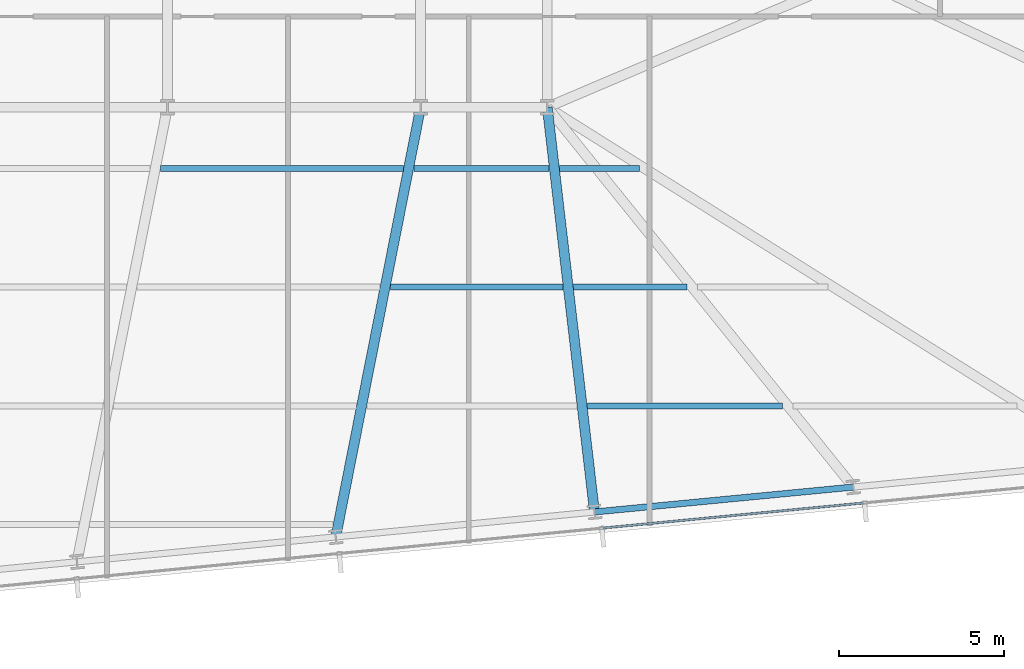
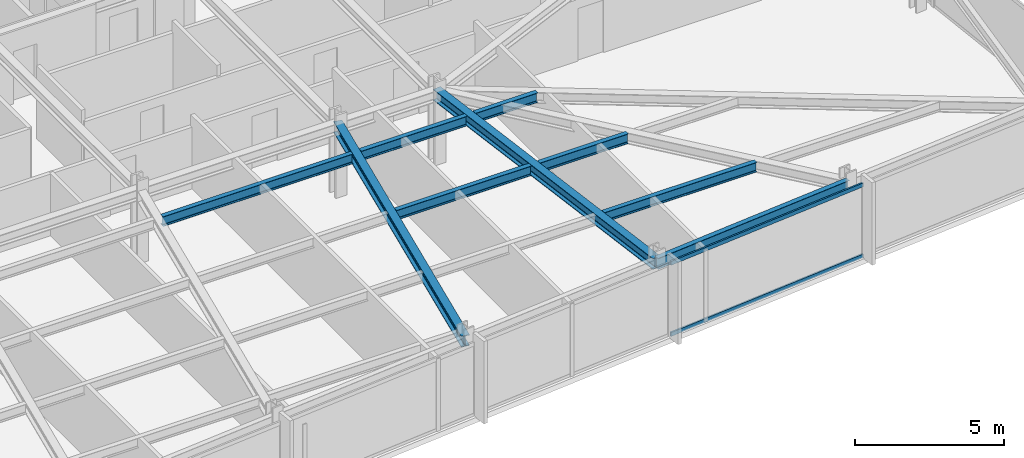
# One storey, part 11 of 32: 9 beams, 2 members, 1 element without a shape of its own.
"""IFC4 building model written with IfcOpenShell, lengths in metres."""

from ifc_helpers import new_model, si_unit, direction, frame, origin, origin_2d, place, context, subcontext, project, spatial, hollow_rectangle, i_section, extrude, material, material_profile, profile_set, type_object, element, aggregate, save


model = new_model("IFC4")

# Units and contexts
model_context = context("Model", 3, precision=1e-05, world=origin(), true_north=direction((0.0, 1.0)))
body_context = subcontext(model_context, "Body", "Model", "MODEL_VIEW")
ifc_project = project(units=[si_unit("LENGTHUNIT", "METRE"), si_unit("AREAUNIT", "SQUARE_METRE"), si_unit("VOLUMEUNIT", "CUBIC_METRE"), si_unit("PLANEANGLEUNIT", "RADIAN"), si_unit("MASSUNIT", "GRAM", prefix="KILO")], contexts=[model_context])

# Site, building, storey
site_placement = place(None, origin())
site = spatial("IfcSite", under=ifc_project, at=site_placement, CompositionType="ELEMENT")
building_placement = place(site_placement, origin())
building = spatial("IfcBuilding", under=site, at=building_placement, Name="Yelkora Congress Tower", CompositionType="ELEMENT")
storey_placement = place(building_placement, frame((0.0, 0.0, 133.89990234375)))
storey = spatial("IfcBuildingStorey", under=building, at=storey_placement, Name="L36", CompositionType="ELEMENT", Elevation=133.89990234375)

# Beams
ifc_material_1 = material(Name="Steel S355J2", Category="steel")
ifc_material_profile_1 = material_profile(ifc_material_1, i_section(OverallWidth=0.300048828125, OverallDepth=0.449951171875, WebThickness=0.013916015625, FlangeThickness=0.02587890625, FilletRadius=0.027099609375, at=origin_2d()), Name="HEB 450")
ifc_profile_set_1 = profile_set([ifc_material_profile_1], Name="Steel S355J2")
beam_type_1 = type_object("IfcBeamType", Name="BM-GIRD-HEB450", PredefinedType="BEAM", material=ifc_profile_set_1)
beam_1_placement = place(storey_placement, frame((51.18359375, 12.16748046875, 2.755126953125), z_axis=(0.193938615251, 0.981013666324, 0.0), x_axis=(-0.981013666324, 0.193938615251, 0.0)))
element("IfcBeam", 1, at=beam_1_placement, inside=storey, type_object=beam_type_1, Name="L36 Primary Frame Girder S05", PredefinedType="BEAM", context=body_context, shape_type="SweptSolid", body=[
    extrude(i_section(OverallWidth=0.300048828125, OverallDepth=0.449951171875, WebThickness=0.013916015625, FlangeThickness=0.02587890625, FilletRadius=0.027099609375, at=origin_2d()), origin(), (0.0, 0.0, 1.0), 13.28466796875),
])
beam_2_placement = place(storey_placement, frame((59.033203125, 12.92333984375, 2.755126953125), z_axis=(-0.115947280821, 0.993255369011, 0.0), x_axis=(-0.993255369011, -0.115947280821, 0.0)))
element("IfcBeam", 2, at=beam_2_placement, inside=storey, type_object=beam_type_1, Name="L36 Primary Frame Girder S06", PredefinedType="BEAM", context=body_context, shape_type="SweptSolid", body=[
    extrude(i_section(OverallWidth=0.300048828125, OverallDepth=0.449951171875, WebThickness=0.013916015625, FlangeThickness=0.02587890625, FilletRadius=0.027099609375, at=origin_2d()), origin(), (0.0, 0.0, 1.0), 12.35986328125),
])
ifc_material_profile_2 = material_profile(ifc_material_1, i_section(OverallWidth=0.179931640625, OverallDepth=0.39990234375, WebThickness=0.008544921875, FlangeThickness=0.013427734375, FilletRadius=0.02099609375, at=origin_2d()), Name="IPE 400")
ifc_profile_set_2 = profile_set([ifc_material_profile_2], Name="Steel S355J2")
beam_type_2 = type_object("IfcBeamType", Name="BM-JOIST-IPE400", PredefinedType="JOIST", material=ifc_profile_set_2)
beam_3_placement = place(storey_placement, frame((58.817138671875, 16.144287109375, 2.780029296875), z_axis=(1.0, 0.0, 0.0), x_axis=(0.0, 1.0, 0.0)))
element("IfcBeam", 3, at=beam_3_placement, inside=storey, type_object=beam_type_2, Name="L36 Composite Floor Joist 9", PredefinedType="JOIST", context=body_context, shape_type="SweptSolid", body=[
    extrude(i_section(OverallWidth=0.179931640625, OverallDepth=0.39990234375, WebThickness=0.008544921875, FlangeThickness=0.013427734375, FilletRadius=0.02099609375, at=origin_2d()), origin(), (0.0, 0.0, 1.0), 5.919189453125),
])
beam_4_placement = place(storey_placement, frame((52.841552734375, 19.744384765625, 2.780029296875), z_axis=(1.0, 0.0, 0.0), x_axis=(0.0, 1.0, 0.0)))
element("IfcBeam", 4, at=beam_4_placement, inside=storey, type_object=beam_type_2, Name="L36 Composite Floor Joist 15", PredefinedType="JOIST", context=body_context, shape_type="SweptSolid", body=[
    extrude(i_section(OverallWidth=0.179931640625, OverallDepth=0.39990234375, WebThickness=0.008544921875, FlangeThickness=0.013427734375, FilletRadius=0.02099609375, at=origin_2d()), origin(), (0.0, 0.0, 1.0), 5.2353515625),
])
beam_5_placement = place(storey_placement, frame((58.39697265625, 19.744384765625, 2.780029296875), z_axis=(1.0, 0.0, 0.0), x_axis=(0.0, 1.0, 0.0)))
element("IfcBeam", 5, at=beam_5_placement, inside=storey, type_object=beam_type_2, Name="L36 Composite Floor Joist 16", PredefinedType="JOIST", context=body_context, shape_type="SweptSolid", body=[
    extrude(i_section(OverallWidth=0.179931640625, OverallDepth=0.39990234375, WebThickness=0.008544921875, FlangeThickness=0.013427734375, FilletRadius=0.02099609375, at=origin_2d()), origin(), (0.0, 0.0, 1.0), 3.438720703125),
])
beam_6_placement = place(storey_placement, frame((45.87060546875, 23.344482421875, 2.780029296875), z_axis=(1.0, 0.0, 0.0), x_axis=(0.0, 1.0, 0.0)))
element("IfcBeam", 6, at=beam_6_placement, inside=storey, type_object=beam_type_2, Name="L36 Composite Floor Joist 21", PredefinedType="JOIST", context=body_context, shape_type="SweptSolid", body=[
    extrude(i_section(OverallWidth=0.179931640625, OverallDepth=0.39990234375, WebThickness=0.008544921875, FlangeThickness=0.013427734375, FilletRadius=0.02099609375, at=origin_2d()), origin(), (0.0, 0.0, 1.0), 7.362548828125),
])
beam_7_placement = place(storey_placement, frame((53.55322265625, 23.344482421875, 2.780029296875), z_axis=(1.0, 0.0, 0.0), x_axis=(0.0, 1.0, 0.0)))
element("IfcBeam", 7, at=beam_7_placement, inside=storey, type_object=beam_type_2, Name="L36 Composite Floor Joist 22", PredefinedType="JOIST", context=body_context, shape_type="SweptSolid", body=[
    extrude(i_section(OverallWidth=0.179931640625, OverallDepth=0.39990234375, WebThickness=0.008544921875, FlangeThickness=0.013427734375, FilletRadius=0.02099609375, at=origin_2d()), origin(), (0.0, 0.0, 1.0), 4.103271484375),
])
beam_8_placement = place(storey_placement, frame((57.9765625, 23.344482421875, 2.780029296875), z_axis=(1.0, 0.0, 0.0), x_axis=(0.0, 1.0, 0.0)))
element("IfcBeam", 8, at=beam_8_placement, inside=storey, type_object=beam_type_2, Name="L36 Composite Floor Joist 23", PredefinedType="JOIST", context=body_context, shape_type="SweptSolid", body=[
    extrude(i_section(OverallWidth=0.179931640625, OverallDepth=0.39990234375, WebThickness=0.008544921875, FlangeThickness=0.013427734375, FilletRadius=0.02099609375, at=origin_2d()), origin(), (0.0, 0.0, 1.0), 2.41650390625),
])
ifc_material_profile_3 = material_profile(ifc_material_1, i_section(OverallWidth=0.18994140625, OverallDepth=0.449951171875, WebThickness=0.009521484375, FlangeThickness=0.0146484375, FilletRadius=0.02099609375, at=origin_2d()), Name="IPE 450")
ifc_profile_set_3 = profile_set([ifc_material_profile_3], Name="Steel S355J2")
beam_type_3 = type_object("IfcBeamType", Name="BM-SPAN-IPE450", PredefinedType="SPANDREL", material=ifc_profile_set_3)
beam_9_placement = place(storey_placement, frame((59.033203125, 12.92333984375, 2.755126953125), z_axis=(0.995395575667, 0.095852219286, 0.0), x_axis=(-0.095852219286, 0.995395575667, 0.0)))
element("IfcBeam", 9, at=beam_9_placement, inside=storey, type_object=beam_type_3, Name="L36 Perimeter Beam 8", PredefinedType="SPANDREL", context=body_context, shape_type="SweptSolid", body=[
    extrude(i_section(OverallWidth=0.18994140625, OverallDepth=0.449951171875, WebThickness=0.009521484375, FlangeThickness=0.0146484375, FilletRadius=0.02099609375, at=origin_2d()), origin(), (0.0, 0.0, 1.0), 7.8857421875),
])

# Curtain wall, members
ifc_material_2 = material(Name="Anodised aluminium and insulated glass", Category="aluminium")
curtain_wall_type = type_object("IfcCurtainWallType", Name="CW-SYS-B2", PredefinedType="NOTDEFINED", material=ifc_material_2)
curtain_wall_placement = place(storey_placement, origin())
curtain_wall = element("IfcCurtainWall", 10, at=curtain_wall_placement, inside=storey, type_object=curtain_wall_type, Name="L36 Unitised Curtain Wall 20", PredefinedType="NOTDEFINED")
ifc_material_3 = material(Name="Anodised aluminium 6063-T6", Category="aluminium")
ifc_material_profile_4 = material_profile(ifc_material_3, hollow_rectangle(XDim=0.06494140625, YDim=0.159912109375, WallThickness=0.00390625, at=origin_2d()), Name="ALU 65x160x4")
ifc_profile_set_4 = profile_set([ifc_material_profile_4], Name="Anodised aluminium 6063-T6")
member_type = type_object("IfcMemberType", Name="MEM-TR-B2", PredefinedType="USERDEFINED", material=ifc_profile_set_4)
member_1_placement = place(storey_placement, frame((67.18798828125, 13.1962890625, 0.03271484375), z_axis=(-0.995397293396, -0.095834379534, 0.0), x_axis=(0.095834379534, -0.995397293396, 0.0)))
member_1 = element("IfcMember", 11, at=member_1_placement, type_object=member_type, Name="CW-B2 transom 2.1", ObjectType="TRANSOM", PredefinedType="USERDEFINED", context=body_context, shape_type="SweptSolid", body=[
    extrude(hollow_rectangle(XDim=0.06494140625, YDim=0.159912109375, WallThickness=0.00390625, at=origin_2d()), origin(), (0.0, 0.0, 1.0), 7.93310546875),
])
member_2_placement = place(storey_placement, frame((67.18798828125, 13.1962890625, 2.947509765625), z_axis=(-0.995397293396, -0.095834379534, 0.0), x_axis=(0.095834379534, -0.995397293396, 0.0)))
member_2 = element("IfcMember", 12, at=member_2_placement, type_object=member_type, Name="CW-B2 transom 2.2", ObjectType="TRANSOM", PredefinedType="USERDEFINED", context=body_context, shape_type="SweptSolid", body=[
    extrude(hollow_rectangle(XDim=0.06494140625, YDim=0.159912109375, WallThickness=0.00390625, at=origin_2d()), origin(), (0.0, 0.0, 1.0), 7.93310546875),
])
aggregate(curtain_wall, [member_1, member_2])

save(model, "model.ifc")
